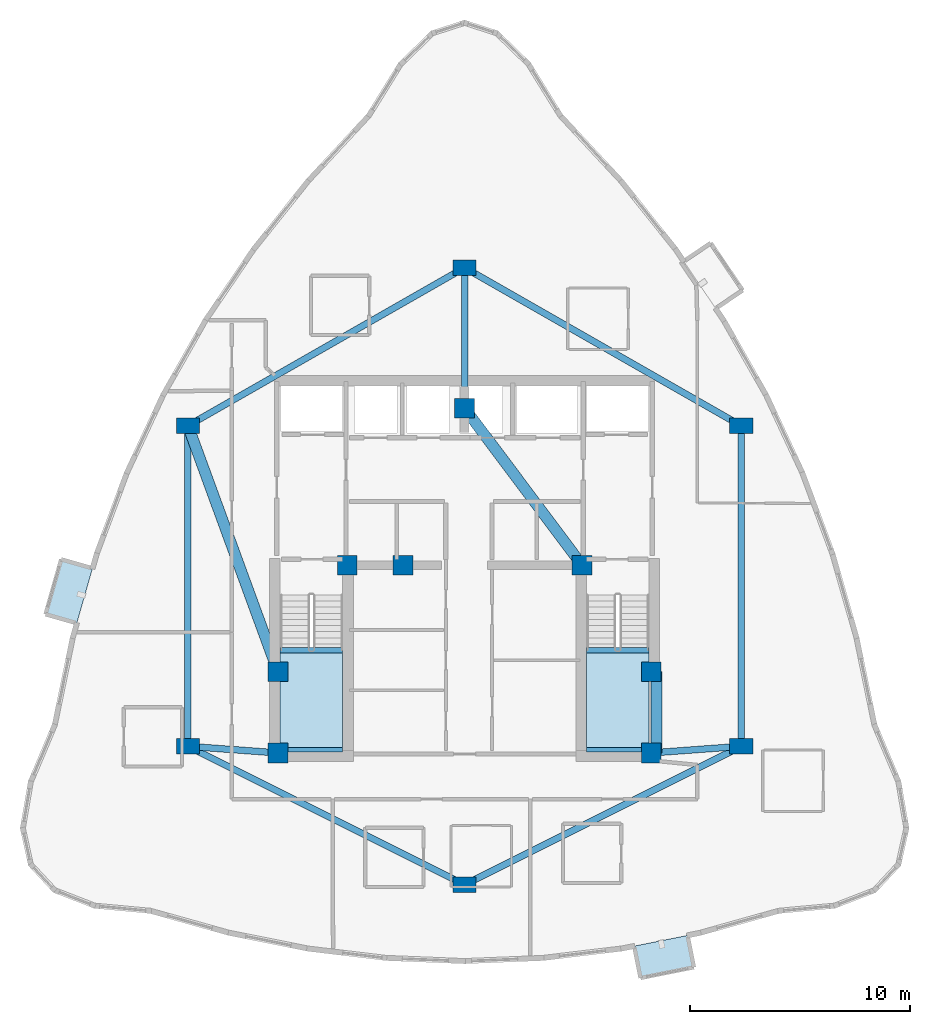
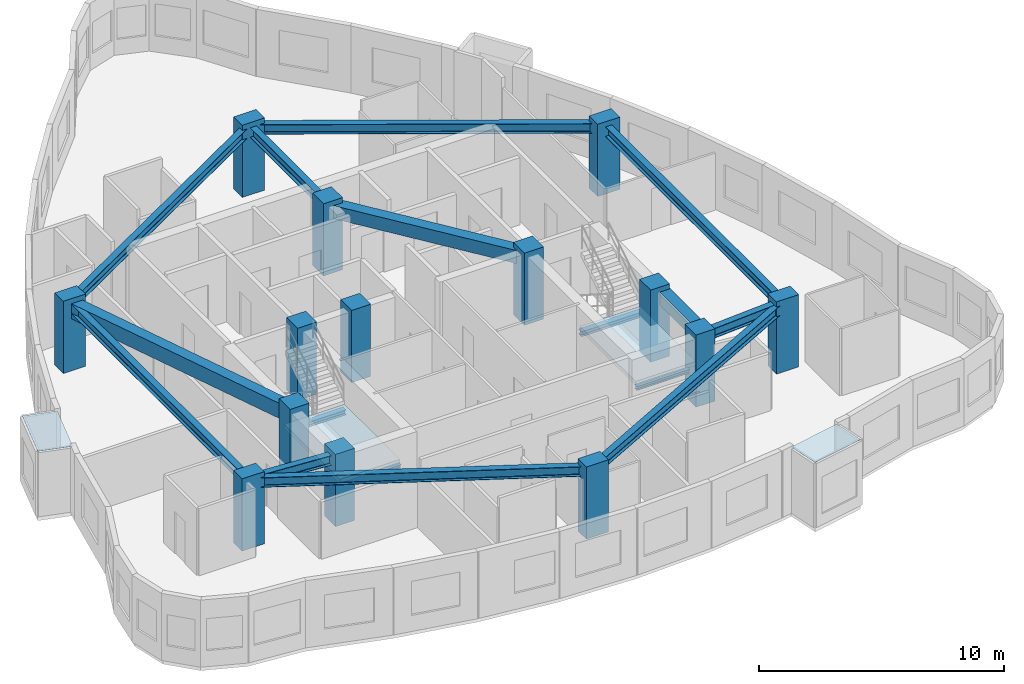
# One storey, part 1 of 9: 16 beams, 14 columns, 2 plates, 2 slabs, 2 elements without a shape of their own.
"""IFC4 building model written with IfcOpenShell, lengths in metres."""

from ifc_helpers import new_model, si_unit, direction, frame, origin, origin_2d, place, context, subcontext, project, spatial, polyline, rectangle, i_section, outline, extrude, material, layer, layer_set, material_profile, profile_set, type_object, element, aggregate, save


model = new_model("IFC4")

# Units and contexts
model_context = context("Model", 3, precision=1e-05, world=origin(), true_north=direction((0.0, 1.0)))
body_context = subcontext(model_context, "Body", "Model", "MODEL_VIEW")
ifc_project = project(units=[si_unit("LENGTHUNIT", "METRE"), si_unit("AREAUNIT", "SQUARE_METRE"), si_unit("VOLUMEUNIT", "CUBIC_METRE"), si_unit("PLANEANGLEUNIT", "RADIAN"), si_unit("MASSUNIT", "GRAM", prefix="KILO")], contexts=[model_context])

# Site, building, storey
site_placement = place(None, origin())
site = spatial("IfcSite", under=ifc_project, at=site_placement, CompositionType="ELEMENT")
building_placement = place(site_placement, origin())
building = spatial("IfcBuilding", under=site, at=building_placement, Name="Miruveldt Soraemaru", CompositionType="ELEMENT")
storey_placement = place(building_placement, frame((0.0, 0.0, 194.39990234375)))
storey = spatial("IfcBuildingStorey", under=building, at=storey_placement, Name="L53", CompositionType="ELEMENT", Elevation=194.39990234375)

# Columns
ifc_material_1 = material(Name="Concrete C50/60 (50 MPa)", Category="concrete")
ifc_material_profile_1 = material_profile(ifc_material_1, rectangle(XDim=0.89990234375, YDim=0.89990234375, at=origin_2d()), Name="Concrete C50/60 (50 MPa)", Category="concrete")
ifc_profile_set_1 = profile_set([ifc_material_profile_1], Name="Concrete C50/60 (50 MPa)")
column_type_1 = type_object("IfcColumnType", Name="COL-CORE-900", PredefinedType="COLUMN", material=ifc_profile_set_1)
for number, where, z_axis, x_axis, name in (
    (1, (35.5, 35.5, 0.0), (0.0, 0.0, 1.0), (1.0, 0.0, 0.0), "L53 Structural Column CC1"),
    (2, (38.64990234375, 44.050048828125, 0.0), (0.0, 0.0, 1.0), (1.0, 0.0, 0.0), "L53 Structural Column CC2"),
    (3, (52.5, 35.5, 0.0), (0.0, 0.0, 1.0), (1.0, 0.0, 0.0), "L53 Structural Column CC3"),
    (4, (52.5, 39.199951171875, 0.0), (0.0, 0.0, 1.0), (1.0, 0.0, 0.0), "L53 Structural Column CC4"),
    (5, (49.35009765625, 44.050048828125, 0.0), (0.0, 0.0, 1.0), (1.0, 0.0, 0.0), "L53 Structural Column CC5"),
    (6, (44.0, 51.199951171875, 0.0), (0.0, 0.0, 1.0), (1.0, 0.0, 0.0), "L53 Structural Column CC6"),
    (7, (35.5, 39.199951171875, 0.0), (0.0, 0.0, 1.0), (1.0, 0.0, 0.0), "L53 Structural Column CC7"),
    (8, (41.199951171875, 44.050048828125, 0.0), (0.0, 0.0, 1.0), (1.0, 0.0, 0.0), "L53 Structural Column CC8"),
):
    element("IfcColumn", number, at=place(storey_placement, frame(where, z_axis=z_axis, x_axis=x_axis)), inside=storey, type_object=column_type_1, Name=name, PredefinedType="COLUMN", context=body_context, shape_type="SweptSolid", body=[
        extrude(rectangle(XDim=0.89990234375, YDim=0.89990234375, at=origin_2d()), origin(), (0.0, 0.0, 1.0), 3.60009765625),
    ])
ifc_material_2 = material(Name="Concrete C60/75 (60 MPa)", Category="concrete")
ifc_material_profile_2 = material_profile(ifc_material_2, rectangle(XDim=1.050048828125, YDim=0.699951171875, at=origin_2d()), Name="Concrete C60/75 (60 MPa)", Category="concrete")
ifc_profile_set_2 = profile_set([ifc_material_profile_2], Name="Concrete C60/75 (60 MPa)")
column_type_2 = type_object("IfcColumnType", Name="COL-TW-Z3", PredefinedType="COLUMN", material=ifc_profile_set_2)
for number, where, z_axis, x_axis, name in (
    (9, (44.0, 57.60009765625, 0.0), (0.0, 0.0, 1.0), (1.0, 0.0, 0.0), "L53 Structural Column IR01"),
    (10, (56.60009765625, 50.39990234375, 0.0), (0.0, 0.0, 1.0), (1.0, 0.0, 0.0), "L53 Structural Column IR02"),
    (11, (56.60009765625, 35.800048828125, 0.0), (0.0, 0.0, 1.0), (1.0, 0.0, 0.0), "L53 Structural Column IR03"),
    (12, (44.0, 29.5, 0.0), (0.0, 0.0, 1.0), (1.0, 0.0, 0.0), "L53 Structural Column IR04"),
    (13, (31.39990234375, 35.800048828125, 0.0), (0.0, 0.0, 1.0), (1.0, 0.0, 0.0), "L53 Structural Column IR05"),
    (14, (31.39990234375, 50.39990234375, 0.0), (0.0, 0.0, 1.0), (1.0, 0.0, 0.0), "L53 Structural Column IR06"),
):
    element("IfcColumn", number, at=place(storey_placement, frame(where, z_axis=z_axis, x_axis=x_axis)), inside=storey, type_object=column_type_2, Name=name, PredefinedType="COLUMN", context=body_context, shape_type="SweptSolid", body=[
        extrude(rectangle(XDim=1.050048828125, YDim=0.699951171875, at=origin_2d()), origin(), (0.0, 0.0, 1.0), 3.60009765625),
    ])

# Beams
ifc_material_profile_3 = material_profile(ifc_material_1, rectangle(XDim=0.5, YDim=0.64990234375, at=origin_2d()), Name="Concrete C50/60 (50 MPa)", Category="concrete")
ifc_profile_set_3 = profile_set([ifc_material_profile_3], Name="Concrete C50/60 (50 MPa)")
beam_type_1 = type_object("IfcBeamType", Name="BM-RC-500x650", PredefinedType="BEAM", material=ifc_profile_set_3)
beam_1_placement = place(storey_placement, frame((52.72998046875, 35.5, 3.02001953125), z_axis=(0.0, 1.0, 0.0), x_axis=(-1.0, 0.0, 0.0)))
element("IfcBeam", 15, at=beam_1_placement, inside=storey, type_object=beam_type_1, Name="L53 Core Tie Beam 3", PredefinedType="BEAM", context=body_context, shape_type="SweptSolid", body=[
    extrude(rectangle(XDim=0.5, YDim=0.64990234375, at=origin_2d()), origin(), (0.0, 0.0, 1.0), 3.699951171875),
])
beam_2_placement = place(storey_placement, frame((49.35009765625, 44.050048828125, 3.02001953125), z_axis=(-0.599116023999, 0.800662219533, 0.0), x_axis=(-0.800662219533, -0.599116023999, 0.0)))
element("IfcBeam", 16, at=beam_2_placement, inside=storey, type_object=beam_type_1, Name="L53 Core Tie Beam 5", PredefinedType="BEAM", context=body_context, shape_type="SweptSolid", body=[
    extrude(rectangle(XDim=0.5, YDim=0.64990234375, at=origin_2d()), origin(), (0.0, 0.0, 1.0), 8.929931640625),
])
ifc_material_3 = material(Name="Concrete C40/50 (40 MPa)", Category="concrete")
ifc_material_profile_4 = material_profile(ifc_material_3, rectangle(XDim=0.5, YDim=0.75, at=origin_2d()), Name="Concrete C40/50 (40 MPa)", Category="concrete")
ifc_profile_set_4 = profile_set([ifc_material_profile_4], Name="Concrete C40/50 (40 MPa)")
beam_type_2 = type_object("IfcBeamType", Name="BM-RC-500x750", PredefinedType="LINTEL", material=ifc_profile_set_4)
beam_3_placement = place(storey_placement, frame((31.39990234375, 50.39990234375, 2.97021484375), z_axis=(0.343770424598, -0.939053723262, 0.0), x_axis=(0.939053723262, 0.343770424598, 0.0)))
element("IfcBeam", 17, at=beam_3_placement, inside=storey, type_object=beam_type_2, Name="L53 West Lobby Lintel", PredefinedType="LINTEL", context=body_context, shape_type="SweptSolid", body=[
    extrude(rectangle(XDim=0.5, YDim=0.75, at=origin_2d()), origin(), (0.0, 0.0, 1.0), 11.9267578125),
])
ifc_material_4 = material(Name="Steel SM355 (355 MPa)", Category="steel")
ifc_material_profile_5 = material_profile(ifc_material_4, i_section(OverallWidth=0.300048828125, OverallDepth=0.488037109375, WebThickness=0.010986328125, FlangeThickness=0.01806640625, FilletRadius=0.02587890625, at=origin_2d()), Name="Steel SM355 (355 MPa)", Category="steel")
ifc_profile_set_5 = profile_set([ifc_material_profile_5], Name="Steel SM355 (355 MPa)")
beam_type_3 = type_object("IfcBeamType", Name="BM-ST-H488", PredefinedType="BEAM", material=ifc_profile_set_5)
beam_4_placement = place(storey_placement, frame((44.0, 57.60009765625, 3.10107421875), z_axis=(0.868239001029, -0.496146185203, 0.0), x_axis=(0.496146185203, 0.868239001029, 0.0)))
element("IfcBeam", 18, at=beam_4_placement, inside=storey, type_object=beam_type_3, Name="L53 Inner Ring Girder 1", PredefinedType="BEAM", context=body_context, shape_type="SweptSolid", body=[
    extrude(i_section(OverallWidth=0.300048828125, OverallDepth=0.488037109375, WebThickness=0.010986328125, FlangeThickness=0.01806640625, FilletRadius=0.02587890625, at=origin_2d()), origin(), (0.0, 0.0, 1.0), 14.51220703125),
])
beam_5_placement = place(storey_placement, frame((44.0, 51.199951171875, 3.10107421875), z_axis=(0.0, 1.0, 0.0), x_axis=(-1.0, 0.0, 0.0)))
element("IfcBeam", 19, at=beam_5_placement, inside=storey, type_object=beam_type_3, Name="L53 Core-to-Inner Radial Girder 1", PredefinedType="BEAM", context=body_context, shape_type="SweptSolid", body=[
    extrude(i_section(OverallWidth=0.300048828125, OverallDepth=0.488037109375, WebThickness=0.010986328125, FlangeThickness=0.01806640625, FilletRadius=0.02587890625, at=origin_2d()), origin(), (0.0, 0.0, 1.0), 6.400146484375),
])
beam_6_placement = place(storey_placement, frame((56.60009765625, 50.39990234375, 3.10107421875), z_axis=(0.0, -1.0, 0.0), x_axis=(1.0, 0.0, 0.0)))
element("IfcBeam", 20, at=beam_6_placement, inside=storey, type_object=beam_type_3, Name="L53 Inner Ring Girder 2", PredefinedType="BEAM", context=body_context, shape_type="SweptSolid", body=[
    extrude(i_section(OverallWidth=0.300048828125, OverallDepth=0.488037109375, WebThickness=0.010986328125, FlangeThickness=0.01806640625, FilletRadius=0.02587890625, at=origin_2d()), origin(), (0.0, 0.0, 1.0), 14.599853515625),
])
beam_7_placement = place(storey_placement, frame((56.60009765625, 35.800048828125, 3.10107421875), z_axis=(-0.894427191, -0.4472135955, 0.0), x_axis=(0.4472135955, -0.894427191, 0.0)))
element("IfcBeam", 21, at=beam_7_placement, inside=storey, type_object=beam_type_3, Name="L53 Inner Ring Girder 3", PredefinedType="BEAM", context=body_context, shape_type="SweptSolid", body=[
    extrude(i_section(OverallWidth=0.300048828125, OverallDepth=0.488037109375, WebThickness=0.010986328125, FlangeThickness=0.01806640625, FilletRadius=0.02587890625, at=origin_2d()), origin(), (0.0, 0.0, 1.0), 14.08740234375),
])
beam_8_placement = place(storey_placement, frame((52.5, 35.5, 3.10107421875), z_axis=(0.997332985605, 0.072985723431, 0.0), x_axis=(-0.072985723431, 0.997332985605, 0.0)))
element("IfcBeam", 22, at=beam_8_placement, inside=storey, type_object=beam_type_3, Name="L53 Core-to-Inner Radial Girder 3", PredefinedType="BEAM", context=body_context, shape_type="SweptSolid", body=[
    extrude(i_section(OverallWidth=0.300048828125, OverallDepth=0.488037109375, WebThickness=0.010986328125, FlangeThickness=0.01806640625, FilletRadius=0.02587890625, at=origin_2d()), origin(), (0.0, 0.0, 1.0), 4.111083984375),
])
beam_9_placement = place(storey_placement, frame((44.0, 29.5, 3.10107421875), z_axis=(-0.894427191, 0.4472135955, 0.0), x_axis=(-0.4472135955, -0.894427191, 0.0)))
element("IfcBeam", 23, at=beam_9_placement, inside=storey, type_object=beam_type_3, Name="L53 Inner Ring Girder 4", PredefinedType="BEAM", context=body_context, shape_type="SweptSolid", body=[
    extrude(i_section(OverallWidth=0.300048828125, OverallDepth=0.488037109375, WebThickness=0.010986328125, FlangeThickness=0.01806640625, FilletRadius=0.02587890625, at=origin_2d()), origin(), (0.0, 0.0, 1.0), 14.08740234375),
])
beam_10_placement = place(storey_placement, frame((31.39990234375, 35.800048828125, 3.10107421875), z_axis=(0.0, 1.0, 0.0), x_axis=(-1.0, 0.0, 0.0)))
element("IfcBeam", 24, at=beam_10_placement, inside=storey, type_object=beam_type_3, Name="L53 Inner Ring Girder 5", PredefinedType="BEAM", context=body_context, shape_type="SweptSolid", body=[
    extrude(i_section(OverallWidth=0.300048828125, OverallDepth=0.488037109375, WebThickness=0.010986328125, FlangeThickness=0.01806640625, FilletRadius=0.02587890625, at=origin_2d()), origin(), (0.0, 0.0, 1.0), 14.599853515625),
])
beam_11_placement = place(storey_placement, frame((35.5, 35.5, 3.10107421875), z_axis=(-0.997332985605, 0.072985723431, 0.0), x_axis=(-0.072985723431, -0.997332985605, 0.0)))
element("IfcBeam", 25, at=beam_11_placement, inside=storey, type_object=beam_type_3, Name="L53 Core-to-Inner Radial Girder 5", PredefinedType="BEAM", context=body_context, shape_type="SweptSolid", body=[
    extrude(i_section(OverallWidth=0.300048828125, OverallDepth=0.488037109375, WebThickness=0.010986328125, FlangeThickness=0.01806640625, FilletRadius=0.02587890625, at=origin_2d()), origin(), (0.0, 0.0, 1.0), 4.111083984375),
])
beam_12_placement = place(storey_placement, frame((31.39990234375, 50.39990234375, 3.10107421875), z_axis=(0.868239001029, 0.496146185203, 0.0), x_axis=(-0.496146185203, 0.868239001029, 0.0)))
element("IfcBeam", 26, at=beam_12_placement, inside=storey, type_object=beam_type_3, Name="L53 Inner Ring Girder 6", PredefinedType="BEAM", context=body_context, shape_type="SweptSolid", body=[
    extrude(i_section(OverallWidth=0.300048828125, OverallDepth=0.488037109375, WebThickness=0.010986328125, FlangeThickness=0.01806640625, FilletRadius=0.02587890625, at=origin_2d()), origin(), (0.0, 0.0, 1.0), 14.51220703125),
])
ifc_material_profile_6 = material_profile(ifc_material_4, i_section(OverallWidth=0.199951171875, OverallDepth=0.199951171875, WebThickness=0.008056640625, FlangeThickness=0.011962890625, FilletRadius=0.012939453125, at=origin_2d()), Name="Steel SM355 (355 MPa)", Category="steel")
ifc_profile_set_6 = profile_set([ifc_material_profile_6], Name="Steel SM355 (355 MPa)")
beam_type_4 = type_object("IfcBeamType", Name="BM-ST-LND200", PredefinedType="BEAM", material=ifc_profile_set_6)
for number, where, z_axis, x_axis, name in (
    (27, (35.60009765625, 35.64990234375, 1.5), (1.0, 0.0, 0.0), (0.0, 1.0, 0.0), "L53 ST1 Landing End Beam 1B"),
    (28, (49.550048828125, 35.64990234375, 1.5), (1.0, 0.0, 0.0), (0.0, 1.0, 0.0), "L53 ST2 Landing End Beam 1B"),
):
    element("IfcBeam", number, at=place(storey_placement, frame(where, z_axis=z_axis, x_axis=x_axis)), inside=storey, type_object=beam_type_4, Name=name, PredefinedType="BEAM", context=body_context, shape_type="SweptSolid", body=[
        extrude(i_section(OverallWidth=0.199951171875, OverallDepth=0.199951171875, WebThickness=0.008056640625, FlangeThickness=0.011962890625, FilletRadius=0.012939453125, at=origin_2d()), origin(), (0.0, 0.0, 1.0), 2.849853515625),
    ])
ifc_material_profile_7 = material_profile(ifc_material_4, i_section(OverallWidth=0.25, OverallDepth=0.25, WebThickness=0.009033203125, FlangeThickness=0.013916015625, FilletRadius=0.01611328125, at=origin_2d()), Name="Steel SM355 (355 MPa)", Category="steel")
ifc_profile_set_7 = profile_set([ifc_material_profile_7], Name="Steel SM355 (355 MPa)")
beam_type_5 = type_object("IfcBeamType", Name="BM-ST-LND250", PredefinedType="BEAM", material=ifc_profile_set_7)
for number, where, z_axis, x_axis, name in (
    (29, (35.60009765625, 40.179931640625, 1.47509765625), (1.0, 0.0, 0.0), (0.0, 1.0, 0.0), "L53 ST1 Landing Support Beam 1A"),
    (30, (49.550048828125, 40.179931640625, 1.47509765625), (1.0, 0.0, 0.0), (0.0, 1.0, 0.0), "L53 ST2 Landing Support Beam 1A"),
):
    element("IfcBeam", number, at=place(storey_placement, frame(where, z_axis=z_axis, x_axis=x_axis)), inside=storey, type_object=beam_type_5, Name=name, PredefinedType="BEAM", context=body_context, shape_type="SweptSolid", body=[
        extrude(i_section(OverallWidth=0.25, OverallDepth=0.25, WebThickness=0.009033203125, FlangeThickness=0.013916015625, FilletRadius=0.01611328125, at=origin_2d()), origin(), (0.0, 0.0, 1.0), 2.849853515625),
    ])

# Plates
ifc_material_5 = material(Name="Standing-seam titanium-zinc sheet", Category="aluminium")
ifc_layer_1 = layer(ifc_material_5, 0.011962890625, Name="Standing-seam titanium-zinc sheet", Category="aluminium")
ifc_layer_set_1 = layer_set([ifc_layer_1], Name="Standing-seam titanium-zinc sheet")
plate_type = type_object("IfcPlateType", Name="PLT-ZINC-12", PredefinedType="SHEET", material=ifc_layer_set_1)
plate_1_placement = place(storey_placement, frame((0.0, 0.0, 3.195068359375)))
element("IfcPlate", 31, at=plate_1_placement, inside=storey, type_object=plate_type, Name="L53 Bay Window Zinc Hood Sheet 1", PredefinedType="SHEET", context=body_context, shape_type="SweptSolid", body=[
    extrude(outline(polyline([(27.052490234375, 43.90771484375), (26.337646484375, 41.407958984375), (24.914794921875, 41.81494140625), (25.629638671875, 44.314697265625), (27.052490234375, 43.90771484375)])), origin(), (0.0, 0.0, 1.0), 0.011962890625),
])
plate_2_placement = place(storey_placement, frame((0.0, 0.0, 3.195068359375)))
element("IfcPlate", 32, at=plate_2_placement, inside=storey, type_object=plate_type, Name="L53 Bay Window Zinc Hood Sheet 2", PredefinedType="SHEET", context=body_context, shape_type="SweptSolid", body=[
    extrude(outline(polyline([(51.72265625, 26.702392578125), (54.153564453125, 27.1884765625), (54.443603515625, 25.7373046875), (52.012939453125, 25.2509765625), (51.72265625, 26.702392578125)])), origin(), (0.0, 0.0, 1.0), 0.011962890625),
])

# Stair, slab
stair_type = type_object("IfcStairType", Name="STAIR-DL-360", PredefinedType="HALF_TURN_STAIR", material=ifc_material_3)
stair_1_placement = place(storey_placement, origin())
stair_1 = element("IfcStair", 33, at=stair_1_placement, inside=storey, type_object=stair_type, Name="L53 Protected Exit Stair ST-1", PredefinedType="HALF_TURN_STAIR")
ifc_layer_2 = layer(ifc_material_3, 0.199951171875, Name="Concrete C40/50 (40 MPa)", Category="concrete")
ifc_layer_set_2 = layer_set([ifc_layer_2], Name="Concrete C40/50 (40 MPa)")
slab_type = type_object("IfcSlabType", Name="SLAB-LAND-200", PredefinedType="LANDING", material=ifc_layer_set_2)
slab_1_placement = place(storey_placement, frame((0.0, 0.0, 1.60009765625)))
slab_1 = element("IfcSlab", 34, at=slab_1_placement, type_object=slab_type, Name="ST-1 landing 1", PredefinedType="LANDING", context=body_context, shape_type="SweptSolid", body=[
    extrude(outline(polyline([(35.60009765625, 40.197998046875), (35.60009765625, 35.64990234375), (38.449951171875, 35.64990234375), (38.449951171875, 40.197998046875), (35.60009765625, 40.197998046875)])), origin(), (0.0, 0.0, 1.0), 0.199951171875),
])
aggregate(stair_1, [slab_1])

stair_2_placement = place(storey_placement, origin())
stair_2 = element("IfcStair", 35, at=stair_2_placement, inside=storey, type_object=stair_type, Name="L53 Protected Exit Stair ST-2", PredefinedType="HALF_TURN_STAIR")
slab_2_placement = place(storey_placement, frame((0.0, 0.0, 1.60009765625)))
slab_2 = element("IfcSlab", 36, at=slab_2_placement, type_object=slab_type, Name="ST-2 landing 1", PredefinedType="LANDING", context=body_context, shape_type="SweptSolid", body=[
    extrude(outline(polyline([(49.550048828125, 40.197998046875), (49.550048828125, 35.64990234375), (52.39990234375, 35.64990234375), (52.39990234375, 40.197998046875), (49.550048828125, 40.197998046875)])), origin(), (0.0, 0.0, 1.0), 0.199951171875),
])
aggregate(stair_2, [slab_2])

save(model, "model.ifc")
